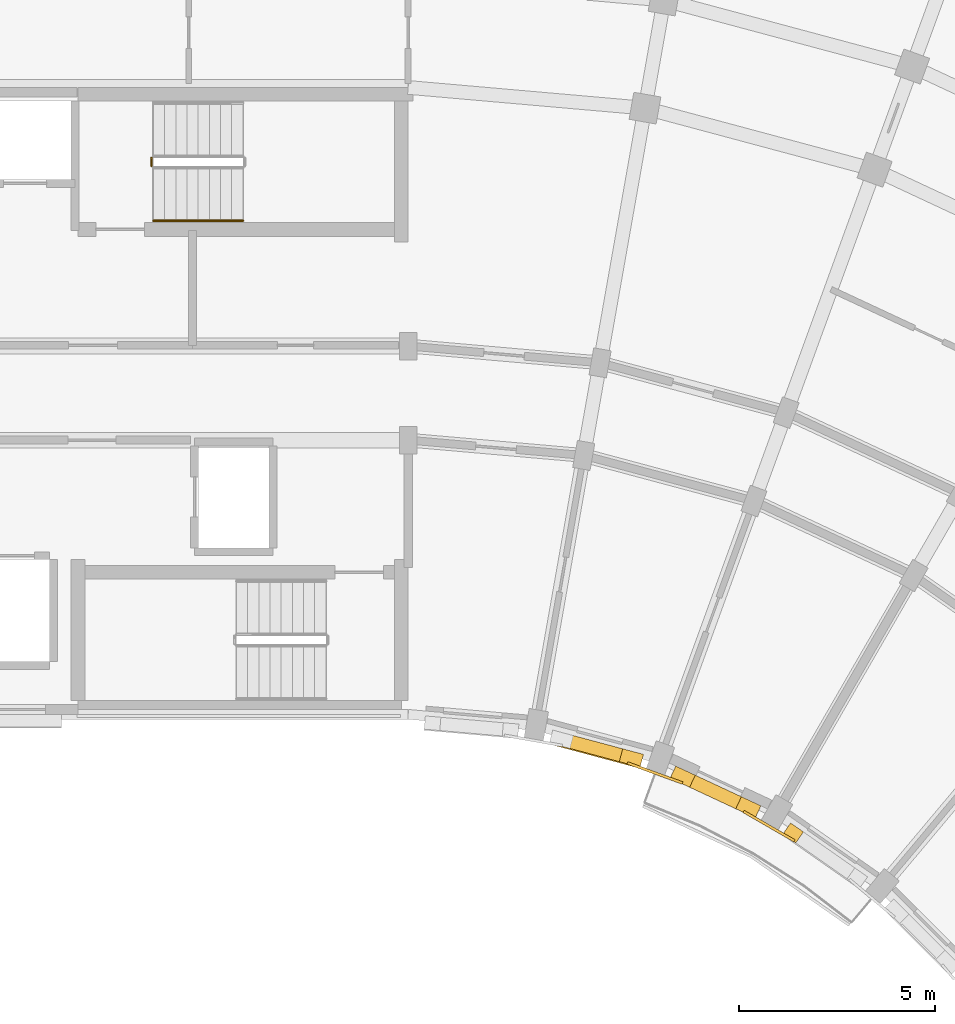
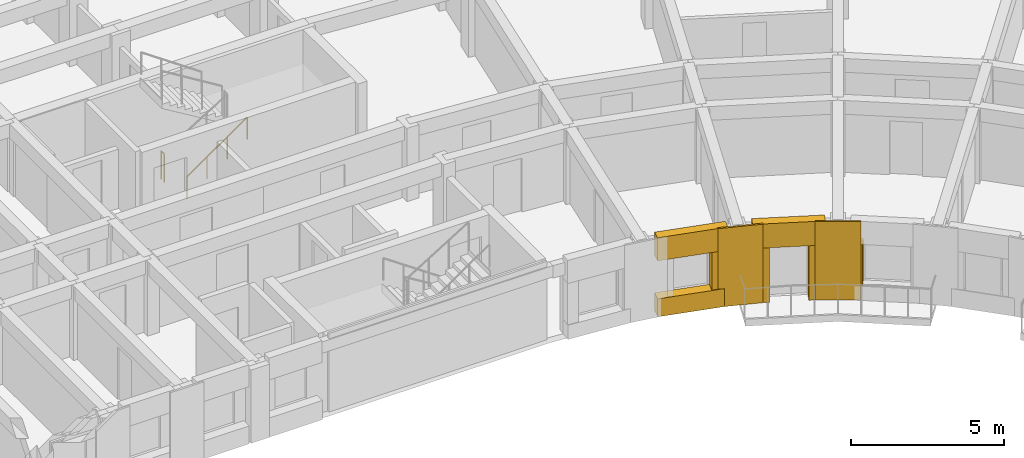
# One storey, part 53 of 57: 9 coverings, 2 railings.
"""IFC4 building model written with IfcOpenShell, lengths in metres."""

from ifc_helpers import new_model, si_unit, direction, frame, origin, origin_2d, place, context, subcontext, project, spatial, polyline, circle, outline, extrude, material, layer, layer_set, type_object, element, save


model = new_model("IFC4")

# Units and contexts
model_context = context("Model", 3, precision=1e-05, world=origin(), true_north=direction((0.0, 1.0)))
body_context = subcontext(model_context, "Body", "Model", "MODEL_VIEW")
ifc_project = project(units=[si_unit("LENGTHUNIT", "METRE"), si_unit("AREAUNIT", "SQUARE_METRE"), si_unit("VOLUMEUNIT", "CUBIC_METRE"), si_unit("PLANEANGLEUNIT", "RADIAN"), si_unit("MASSUNIT", "GRAM", prefix="KILO")], contexts=[model_context])

# Site, building, storey
site_placement = place(None, origin())
site = spatial("IfcSite", under=ifc_project, at=site_placement, CompositionType="ELEMENT")
building_placement = place(site_placement, origin())
building = spatial("IfcBuilding", under=site, at=building_placement, Name="Kiranvali Square Residences", CompositionType="ELEMENT")
storey_placement = place(building_placement, frame((0.0, 0.0, 24.449951171875)))
storey = spatial("IfcBuildingStorey", under=building, at=storey_placement, Name="L07", CompositionType="ELEMENT", Elevation=24.449951171875)

# Coverings
ifc_material_1 = material(Name="Honed Porbandar limestone ashlar facade cladding", Category="masonry")
ifc_layer_1 = layer(ifc_material_1, 0.3798828125)
ifc_layer_set_1 = layer_set([ifc_layer_1], Name="Honed Porbandar limestone ashlar facade cladding")
covering_type_1 = type_object("IfcCoveringType", Name="COV-CLAD-JAMB", PredefinedType="CLADDING", material=ifc_layer_set_1)
covering_1_placement = place(storey_placement, frame((0.0, 0.0, 0.72216796875)))
element("IfcCovering", 1, at=covering_1_placement, inside=storey, type_object=covering_type_1, Name="L07 deep limestone window jamb reveal B-L07-GDN-01.R", PredefinedType="CLADDING", context=body_context, shape_type="SweptSolid", body=[
    extrude(outline(polyline([(125.187255859375, 105.3935546875), (125.717041015625, 105.251708984375), (125.804931640625, 105.57958984375), (125.27490234375, 105.7216796875), (125.187255859375, 105.3935546875)])), origin(), (0.0, 0.0, 1.0), 1.5),
])
covering_2_placement = place(storey_placement, origin())
element("IfcCovering", 2, at=covering_2_placement, inside=storey, type_object=covering_type_1, Name="L07 deep limestone window jamb reveal B-L07-GDN-02.L", PredefinedType="CLADDING", context=body_context, shape_type="SweptSolid", body=[
    extrude(outline(polyline([(126.485107421875, 104.97216796875), (126.982177734375, 104.740234375), (127.125732421875, 105.048095703125), (126.62841796875, 105.27978515625), (126.485107421875, 104.97216796875)])), origin(), (0.0, 0.0, 1.0), 2.179931640625),
])
covering_3_placement = place(storey_placement, origin())
element("IfcCovering", 3, at=covering_3_placement, inside=storey, type_object=covering_type_1, Name="L07 deep limestone window jamb reveal B-L07-GDN-02.R", PredefinedType="CLADDING", context=body_context, shape_type="SweptSolid", body=[
    extrude(outline(polyline([(128.160400390625, 104.19091796875), (128.657470703125, 103.958984375), (128.801025390625, 104.266845703125), (128.303955078125, 104.49853515625), (128.160400390625, 104.19091796875)])), origin(), (0.0, 0.0, 1.0), 2.179931640625),
])
covering_4_placement = place(storey_placement, frame((0.0, 0.0, 0.572021484375)))
element("IfcCovering", 4, at=covering_4_placement, inside=storey, type_object=covering_type_1, Name="L07 deep limestone window jamb reveal B-L07-GDN-03.L", PredefinedType="CLADDING", context=body_context, shape_type="SweptSolid", body=[
    extrude(outline(polyline([(129.365478515625, 103.55029296875), (129.69189453125, 103.32177734375), (129.88671875, 103.599853515625), (129.56005859375, 103.828369140625), (129.365478515625, 103.55029296875)])), origin(), (0.0, 0.0, 1.0), 1.650146484375),
])
ifc_layer_2 = layer(ifc_material_1, 0.050048828125)
ifc_layer_set_2 = layer_set([ifc_layer_2], Name="Honed Porbandar limestone ashlar facade cladding")
covering_type_2 = type_object("IfcCoveringType", Name="COV-CLAD-PIER-IN", PredefinedType="CLADDING", material=ifc_layer_set_2)
covering_5_placement = place(storey_placement, frame((0.0, 0.0, 0.005126953125)))
element("IfcCovering", 5, at=covering_5_placement, inside=storey, type_object=covering_type_2, Name="L07 Classical garden courtyard pilaster CLAD-PRIN-B-L07-A02", PredefinedType="CLADDING", context=body_context, shape_type="SweptSolid", body=[
    extrude(outline(polyline([(125.38232421875, 105.329833984375), (126.791748046875, 104.81689453125), (126.81494140625, 104.88037109375), (125.4052734375, 105.393310546875), (125.38232421875, 105.329833984375)])), origin(), (0.0, 0.0, 1.0), 3.139892578125),
])
covering_6_placement = place(storey_placement, frame((0.0, 0.0, 0.005126953125)))
element("IfcCovering", 6, at=covering_6_placement, inside=storey, type_object=covering_type_2, Name="L07 Classical garden courtyard pilaster CLAD-PRIN-B-L07-A03", PredefinedType="CLADDING", context=body_context, shape_type="SweptSolid", body=[
    extrude(outline(polyline([(128.341552734375, 104.09423828125), (129.640625, 103.34423828125), (129.67431640625, 103.40283203125), (128.375244140625, 104.15283203125), (128.341552734375, 104.09423828125)])), origin(), (0.0, 0.0, 1.0), 3.139892578125),
])
ifc_layer_3 = layer(ifc_material_1, 0.360107421875)
ifc_layer_set_3 = layer_set([ifc_layer_3], Name="Honed Porbandar limestone ashlar facade cladding")
covering_type_3 = type_object("IfcCoveringType", Name="COV-CLAD-WALL", PredefinedType="CLADDING", material=ifc_layer_set_3)
covering_7_placement = place(storey_placement, frame((0.0, 0.0, 2.22216796875)))
element("IfcCovering", 7, at=covering_7_placement, inside=storey, type_object=covering_type_3, Name="L07 light limestone spandrel lintel B-L07-GDN-01", PredefinedType="CLADDING", context=body_context, shape_type="SweptSolid", body=[
    extrude(outline(polyline([(123.401611328125, 105.8720703125), (125.717041015625, 105.251708984375), (125.804931640625, 105.57958984375), (123.489501953125, 106.199951171875), (123.401611328125, 105.8720703125)])), origin(), (0.0, 0.0, 1.0), 0.9228515625),
])
covering_8_placement = place(storey_placement, frame((0.0, 0.0, 2.179931640625)))
element("IfcCovering", 8, at=covering_8_placement, inside=storey, type_object=covering_type_3, Name="L07 light limestone spandrel lintel B-L07-GDN-02", PredefinedType="CLADDING", context=body_context, shape_type="SweptSolid", body=[
    extrude(outline(polyline([(126.485107421875, 104.97216796875), (128.657470703125, 103.958984375), (128.801025390625, 104.266845703125), (126.62841796875, 105.27978515625), (126.485107421875, 104.97216796875)])), origin(), (0.0, 0.0, 1.0), 0.965087890625),
])
ifc_layer_4 = layer(ifc_material_1, 0.2900390625)
ifc_layer_set_4 = layer_set([ifc_layer_4], Name="Honed Porbandar limestone ashlar facade cladding")
covering_type_4 = type_object("IfcCoveringType", Name="COV-CLAD-WALL-IN", PredefinedType="CLADDING", material=ifc_layer_set_4)
covering_9_placement = place(storey_placement, frame((0.0, 0.0, 0.005126953125)))
element("IfcCovering", 9, at=covering_9_placement, inside=storey, type_object=covering_type_4, Name="L07 limestone window sill apron B-L07-GDN-01", PredefinedType="CLADDING", context=body_context, shape_type="SweptSolid", body=[
    extrude(outline(polyline([(123.393798828125, 105.843017578125), (125.709228515625, 105.22265625), (125.804931640625, 105.57958984375), (123.489501953125, 106.199951171875), (123.393798828125, 105.843017578125)])), origin(), (0.0, 0.0, 1.0), 0.717041015625),
])

# Railings
ifc_material_2 = material(Name="Brushed stainless steel tubular handrail", Category="steel")
railing_type_1 = type_object("IfcRailingType", Name="RL-HANDRAIL-900", PredefinedType="HANDRAIL", material=ifc_material_2)
railing_1_placement = place(storey_placement, frame((113.300048828125, 119.199951171875, 0.175048828125)))
element("IfcRailing", 10, at=railing_1_placement, inside=storey, type_object=railing_type_1, Name="L07 ST-B1 stair handrail 1", PredefinedType="HANDRAIL", context=body_context, shape_type="SweptSolid", body=[
    extrude(circle(Radius=0.02392578125, at=origin_2d()), frame((0.0, 0.0, 0.8759765625), z_axis=(0.82278801735, 0.0, 0.568348377763), x_axis=(0.0, 1.0, 0.0)), (0.0, 0.0, 1.0), 2.77099609375),
    extrude(circle(Radius=0.02099609375, at=origin_2d()), origin(), (0.0, 0.0, 1.0), 0.851806640625),
    extrude(circle(Radius=0.02099609375, at=origin_2d()), frame((0.760009765625, 0.0, 0.52490234375)), (0.0, 0.0, 1.0), 0.851806640625),
    extrude(circle(Radius=0.02099609375, at=origin_2d()), frame((1.52001953125, 0.0, 1.050048828125)), (0.0, 0.0, 1.0), 0.851806640625),
    extrude(circle(Radius=0.02099609375, at=origin_2d()), frame((2.280029296875, 0.0, 1.574951171875)), (0.0, 0.0, 1.0), 0.851806640625),
])
ifc_material_3 = material(Name="Powder-coated architectural bronze balustrade", Category="steel")
railing_type_2 = type_object("IfcRailingType", Name="RL-ST-GUARD-1200", PredefinedType="GUARDRAIL", material=ifc_material_3)
railing_2_placement = place(storey_placement, frame((113.25, 120.60009765625, 0.0)))
element("IfcRailing", 11, at=railing_2_placement, inside=storey, type_object=railing_type_2, Name="L07 ST-B1 stair guard 4", PredefinedType="GUARDRAIL", context=body_context, shape_type="SweptSolid", body=[
    extrude(circle(Radius=0.02392578125, at=origin_2d()), frame((0.0, 0.0, 1.1259765625), z_axis=(0.0, 1.0, 0.0), x_axis=(-1.0, 0.0, 0.0)), (0.0, 0.0, 1.0), 0.199951171875),
    extrude(circle(Radius=0.02099609375, at=origin_2d()), origin(), (0.0, 0.0, 1.0), 1.101806640625),
    extrude(circle(Radius=0.02099609375, at=origin_2d()), frame((0.0, 0.199951171875, 0.0)), (0.0, 0.0, 1.0), 1.101806640625),
])

save(model, "model.ifc")
